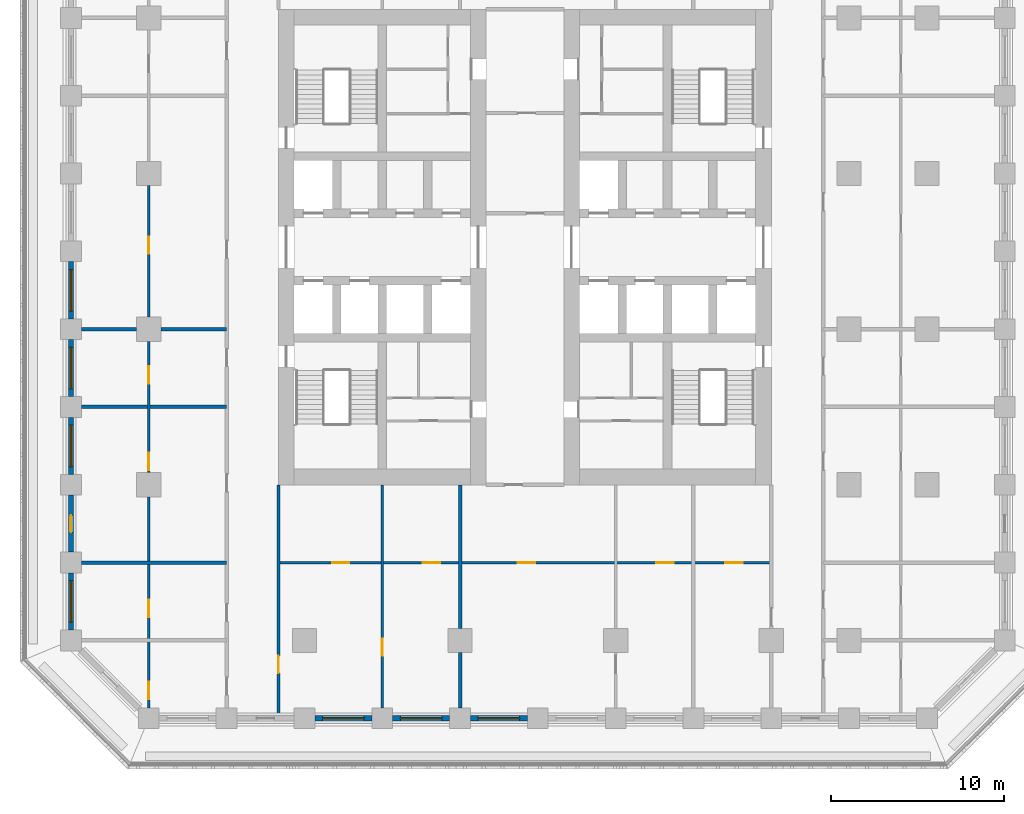
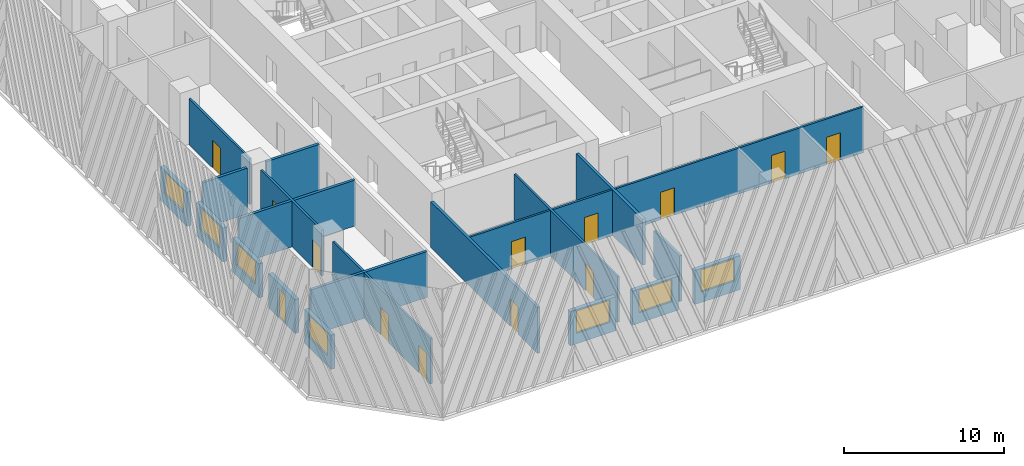
# One storey, part 3 of 20: 20 walls, 13 doors, 7 windows, 20 openings.
"""IFC4 building model written with IfcOpenShell, lengths in metres."""

from ifc_helpers import new_model, si_unit, direction, frame, frame_2d, origin, place, context, subcontext, project, spatial, rectangle, extrude, material, layer, layer_set, type_object, element, fill, save


model = new_model("IFC4")

# Units and contexts
model_context = context("Model", 3, precision=1e-05, world=origin(), true_north=direction((0.0, 1.0)))
body_context = subcontext(model_context, "Body", "Model", "MODEL_VIEW")
ifc_project = project(units=[si_unit("LENGTHUNIT", "METRE"), si_unit("AREAUNIT", "SQUARE_METRE"), si_unit("VOLUMEUNIT", "CUBIC_METRE"), si_unit("PLANEANGLEUNIT", "RADIAN"), si_unit("MASSUNIT", "GRAM", prefix="KILO")], contexts=[model_context])

# Site, building, storey
site_placement = place(None, origin())
site = spatial("IfcSite", under=ifc_project, at=site_placement, CompositionType="ELEMENT")
building_placement = place(site_placement, origin())
building = spatial("IfcBuilding", under=site, at=building_placement, Name="Corbel Stack Research Tower", CompositionType="ELEMENT")
storey_placement = place(building_placement, frame((0.0, 0.0, 106.60009765625)))
storey = spatial("IfcBuildingStorey", under=building, at=storey_placement, Name="L24", CompositionType="ELEMENT", Elevation=106.60009765625)

# Wall, opening, door
ifc_material_1 = material(Name="Fire-rated gypsum board partition on steel studs", Category="steel")
ifc_layer_1 = layer(ifc_material_1, 0.14990234375)
ifc_layer_set_1 = layer_set([ifc_layer_1], Name="Fire-rated gypsum board partition on steel studs")
wall_type_1 = type_object("IfcWallType", Name="Fire-rated partition 150 EI 60", PredefinedType="PARTITIONING", material=ifc_layer_set_1)
wall_1_placement = place(storey_placement, frame((-4.5, -9.0, 0.0), z_axis=(0.0, 0.0, 1.0), x_axis=(0.0, -1.0, 0.0)))
wall_1 = element("IfcWall", 1, at=wall_1_placement, inside=storey, type_object=wall_type_1, Name="Partition L24-010", PredefinedType="PARTITIONING", context=body_context, shape_type="SweptSolid", body=[
    extrude(rectangle(XDim=12.89990234375, YDim=0.14990234375, at=frame_2d((6.449951171875, 0.0))), origin(), (0.0, 0.0, 1.0), 3.5),
])
opening_1_placement = place(wall_1_placement, frame((8.89990234375, 0.0, 0.0)))
opening_1 = element("IfcOpeningElement", 2, at=opening_1_placement, cuts=wall_1, Name="Opening B3V2-025", PredefinedType="OPENING", context=body_context, shape_type="SweptSolid", body=[
    extrude(rectangle(XDim=1.0, YDim=2.10009765625, at=frame_2d((0.5, 1.050048828125))), frame((0.0, 0.0849609375, 0.0), z_axis=(0.0, -1.0, 0.0), x_axis=(1.0, 0.0, 0.0)), (0.0, 0.0, 1.0), 0.169921875),
])
ifc_material_2 = material(Name="Painted steel fire door", Category="steel")
door_type_1 = type_object("IfcDoorType", Name="Fire door FD30S 1000 x 2100", OperationType="NOTDEFINED", PredefinedType="DOOR", material=ifc_material_2)
door_1_placement = place(opening_1_placement, origin())
door_1 = element("IfcDoor", 3, at=door_1_placement, inside=storey, type_object=door_type_1, Name="Door B3V2-025", OperationType="SINGLE_SWING_RIGHT", OverallHeight=2.10009765625, OverallWidth=1.0, PredefinedType="DOOR", context=body_context, shape_type="SweptSolid", body=[
    extrude(rectangle(XDim=1.0, YDim=2.10009765625, at=frame_2d((0.5, 1.050048828125))), frame((0.0, 0.02490234375, 0.0), z_axis=(0.0, -1.0, 0.0), x_axis=(1.0, 0.0, 0.0)), (0.0, 0.0, 1.0), 0.050048828125),
])
fill(opening_1, door_1)

ifc_material_3 = material(Name="Fire-rated gypsum board partition on steel studs", Category="steel")
ifc_layer_2 = layer(ifc_material_3, 0.199951171875)
ifc_layer_set_2 = layer_set([ifc_layer_2], Name="Fire-rated gypsum board partition on steel studs")
wall_type_2 = type_object("IfcWallType", Name="Fire-rated partition 200 EI 60", PredefinedType="PARTITIONING", material=ifc_layer_set_2)
wall_2_placement = place(storey_placement, frame((-10.5, -9.0, 0.0), z_axis=(0.0, 0.0, 1.0), x_axis=(0.0, -1.0, 0.0)))
wall_2 = element("IfcWall", 4, at=wall_2_placement, inside=storey, type_object=wall_type_2, Name="Partition L24-008", PredefinedType="PARTITIONING", context=body_context, shape_type="SweptSolid", body=[
    extrude(rectangle(XDim=13.35009765625, YDim=0.199951171875, at=frame_2d((6.675048828125, 0.0))), origin(), (0.0, 0.0, 1.0), 3.5),
])
opening_2_placement = place(wall_2_placement, frame((9.89990234375, 0.0, 0.0)))
opening_2 = element("IfcOpeningElement", 5, at=opening_2_placement, cuts=wall_2, Name="Opening B3V2-022", PredefinedType="OPENING", context=body_context, shape_type="SweptSolid", body=[
    extrude(rectangle(XDim=1.0, YDim=2.10009765625, at=frame_2d((0.5, 1.050048828125))), frame((0.0, 0.10986328125, 0.0), z_axis=(0.0, -1.0, 0.0), x_axis=(1.0, 0.0, 0.0)), (0.0, 0.0, 1.0), 0.219970703125),
])
door_2_placement = place(opening_2_placement, origin())
door_2 = element("IfcDoor", 6, at=door_2_placement, inside=storey, type_object=door_type_1, Name="Door B3V2-022", OperationType="SINGLE_SWING_RIGHT", OverallHeight=2.10009765625, OverallWidth=1.0, PredefinedType="DOOR", context=body_context, shape_type="SweptSolid", body=[
    extrude(rectangle(XDim=1.0, YDim=2.10009765625, at=frame_2d((0.5, 1.050048828125))), frame((0.0, 0.02490234375, 0.0), z_axis=(0.0, -1.0, 0.0), x_axis=(1.0, 0.0, 0.0)), (0.0, 0.0, 1.0), 0.050048828125),
])
fill(opening_2, door_2)

# Walls
wall_3_placement = place(storey_placement, frame((0.0, -21.89990234375, 0.0), z_axis=(0.0, 0.0, 1.0), x_axis=(0.0, 1.0, 0.0)))
element("IfcWall", 7, at=wall_3_placement, inside=storey, type_object=wall_type_2, Name="Partition L24-015", PredefinedType="PARTITIONING", context=body_context, shape_type="SweptSolid", body=[
    extrude(rectangle(XDim=3.199951171875, YDim=0.199951171875, at=frame_2d((1.60009765625, 0.0))), origin(), (0.0, 0.0, 1.0), 3.5),
])
wall_4_placement = place(storey_placement, frame((0.0, -17.300048828125, 0.0), z_axis=(0.0, 0.0, 1.0), x_axis=(0.0, 1.0, 0.0)))
element("IfcWall", 8, at=wall_4_placement, inside=storey, type_object=wall_type_2, Name="Partition L24-016", PredefinedType="PARTITIONING", context=body_context, shape_type="SweptSolid", body=[
    extrude(rectangle(XDim=8.300048828125, YDim=0.199951171875, at=frame_2d((4.14990234375, 0.0))), origin(), (0.0, 0.0, 1.0), 3.5),
])
for number, where, z_axis, x_axis, name in (
    (9, (-21.89990234375, -13.5, 0.0), (0.0, 0.0, 1.0), (1.0, 0.0, 0.0), "Partition L24-035"),
    (10, (-21.89990234375, -4.5, 0.0), (0.0, 0.0, 1.0), (1.0, 0.0, 0.0), "Partition L24-038"),
):
    element("IfcWall", number, at=place(storey_placement, frame(where, z_axis=z_axis, x_axis=x_axis)), inside=storey, type_object=wall_type_2, Name=name, PredefinedType="PARTITIONING", context=body_context, shape_type="SweptSolid", body=[
        extrude(rectangle(XDim=8.39990234375, YDim=0.199951171875, at=frame_2d((4.199951171875, 0.0))), origin(), (0.0, 0.0, 1.0), 3.5),
    ])
wall_5_placement = place(storey_placement, frame((-21.89990234375, 0.0, 0.0), z_axis=(0.0, 0.0, 1.0), x_axis=(1.0, 0.0, 0.0)))
element("IfcWall", 11, at=wall_5_placement, inside=storey, type_object=wall_type_2, Name="Partition L24-040", PredefinedType="PARTITIONING", context=body_context, shape_type="SweptSolid", body=[
    extrude(rectangle(XDim=3.199951171875, YDim=0.199951171875, at=frame_2d((1.60009765625, 0.0))), origin(), (0.0, 0.0, 1.0), 3.5),
])
wall_6_placement = place(storey_placement, frame((-17.300048828125, 0.0, 0.0), z_axis=(0.0, 0.0, 1.0), x_axis=(1.0, 0.0, 0.0)))
element("IfcWall", 12, at=wall_6_placement, inside=storey, type_object=wall_type_2, Name="Partition L24-041", PredefinedType="PARTITIONING", context=body_context, shape_type="SweptSolid", body=[
    extrude(rectangle(XDim=3.800048828125, YDim=0.199951171875, at=frame_2d((1.89990234375, 0.0))), origin(), (0.0, 0.0, 1.0), 3.5),
])

# Wall, openings, doors
ifc_material_4 = material(Name="Gypsum board partition on steel studs", Category="steel")
ifc_layer_3 = layer(ifc_material_4, 0.14990234375)
ifc_layer_set_3 = layer_set([ifc_layer_3], Name="Gypsum board partition on steel studs")
wall_type_3 = type_object("IfcWallType", Name="Partition 150", PredefinedType="PARTITIONING", material=ifc_layer_set_3)
wall_7_placement = place(storey_placement, frame((-18.0, -21.89990234375, 0.0), z_axis=(0.0, 0.0, 1.0), x_axis=(0.0, 1.0, 0.0)))
wall_7 = element("IfcWall", 13, at=wall_7_placement, inside=storey, type_object=wall_type_3, Name="Partition L24-001", PredefinedType="PARTITIONING", context=body_context, shape_type="SweptSolid", body=[
    extrude(rectangle(XDim=12.199951171875, YDim=0.14990234375, at=frame_2d((6.10009765625, 0.0))), origin(), (0.0, 0.0, 1.0), 3.5),
])
opening_3_placement = place(wall_7_placement, frame((0.5, 0.0, 0.0)))
opening_3 = element("IfcOpeningElement", 14, at=opening_3_placement, cuts=wall_7, Name="Opening B3V2-001", PredefinedType="OPENING", context=body_context, shape_type="SweptSolid", body=[
    extrude(rectangle(XDim=1.0, YDim=2.10009765625, at=frame_2d((0.5, 1.050048828125))), frame((0.0, 0.0849609375, 0.0), z_axis=(0.0, -1.0, 0.0), x_axis=(1.0, 0.0, 0.0)), (0.0, 0.0, 1.0), 0.169921875),
])
opening_4_placement = place(wall_7_placement, frame((5.25, 0.0, 0.0)))
opening_4 = element("IfcOpeningElement", 15, at=opening_4_placement, cuts=wall_7, Name="Opening B3V2-002", PredefinedType="OPENING", context=body_context, shape_type="SweptSolid", body=[
    extrude(rectangle(XDim=1.0, YDim=2.10009765625, at=frame_2d((0.5, 1.050048828125))), frame((0.0, 0.0849609375, 0.0), z_axis=(0.0, -1.0, 0.0), x_axis=(1.0, 0.0, 0.0)), (0.0, 0.0, 1.0), 0.169921875),
])
ifc_material_5 = material(Name="Painted timber door", Category="wood")
door_type_2 = type_object("IfcDoorType", Name="Single door 1000 x 2100", OperationType="NOTDEFINED", PredefinedType="DOOR", material=ifc_material_5)
door_3_placement = place(opening_3_placement, origin())
door_3 = element("IfcDoor", 16, at=door_3_placement, inside=storey, type_object=door_type_2, Name="Door B3V2-001", OperationType="SINGLE_SWING_LEFT", OverallHeight=2.10009765625, OverallWidth=1.0, PredefinedType="DOOR", context=body_context, shape_type="SweptSolid", body=[
    extrude(rectangle(XDim=1.0, YDim=2.10009765625, at=frame_2d((0.5, 1.050048828125))), frame((0.0, 0.02490234375, 0.0), z_axis=(0.0, -1.0, 0.0), x_axis=(1.0, 0.0, 0.0)), (0.0, 0.0, 1.0), 0.050048828125),
])
fill(opening_3, door_3)
door_4_placement = place(opening_4_placement, origin())
door_4 = element("IfcDoor", 17, at=door_4_placement, inside=storey, type_object=door_type_2, Name="Door B3V2-002", OperationType="SINGLE_SWING_LEFT", OverallHeight=2.10009765625, OverallWidth=1.0, PredefinedType="DOOR", context=body_context, shape_type="SweptSolid", body=[
    extrude(rectangle(XDim=1.0, YDim=2.10009765625, at=frame_2d((0.5, 1.050048828125))), frame((0.0, 0.02490234375, 0.0), z_axis=(0.0, -1.0, 0.0), x_axis=(1.0, 0.0, 0.0)), (0.0, 0.0, 1.0), 0.050048828125),
])
fill(opening_4, door_4)

wall_8_placement = place(storey_placement, frame((-18.0, -8.300048828125, 0.0), z_axis=(0.0, 0.0, 1.0), x_axis=(0.0, 1.0, 0.0)))
wall_8 = element("IfcWall", 18, at=wall_8_placement, inside=storey, type_object=wall_type_3, Name="Partition L24-002", PredefinedType="PARTITIONING", context=body_context, shape_type="SweptSolid", body=[
    extrude(rectangle(XDim=7.60009765625, YDim=0.14990234375, at=frame_2d((3.800048828125, 0.0))), origin(), (0.0, 0.0, 1.0), 3.5),
])
opening_5_placement = place(wall_8_placement, frame((0.14990234375, 0.0, 0.0)))
opening_5 = element("IfcOpeningElement", 19, at=opening_5_placement, cuts=wall_8, Name="Opening B3V2-003", PredefinedType="OPENING", context=body_context, shape_type="SweptSolid", body=[
    extrude(rectangle(XDim=1.0, YDim=2.10009765625, at=frame_2d((0.5, 1.050048828125))), frame((0.0, 0.0849609375, 0.0), z_axis=(0.0, -1.0, 0.0), x_axis=(1.0, 0.0, 0.0)), (0.0, 0.0, 1.0), 0.169921875),
])
opening_6_placement = place(wall_8_placement, frame((5.14990234375, 0.0, 0.0)))
opening_6 = element("IfcOpeningElement", 20, at=opening_6_placement, cuts=wall_8, Name="Opening B3V2-004", PredefinedType="OPENING", context=body_context, shape_type="SweptSolid", body=[
    extrude(rectangle(XDim=1.0, YDim=2.10009765625, at=frame_2d((0.5, 1.050048828125))), frame((0.0, 0.0849609375, 0.0), z_axis=(0.0, -1.0, 0.0), x_axis=(1.0, 0.0, 0.0)), (0.0, 0.0, 1.0), 0.169921875),
])
door_5_placement = place(opening_5_placement, origin())
door_5 = element("IfcDoor", 21, at=door_5_placement, inside=storey, type_object=door_type_2, Name="Door B3V2-003", OperationType="SINGLE_SWING_LEFT", OverallHeight=2.10009765625, OverallWidth=1.0, PredefinedType="DOOR", context=body_context, shape_type="SweptSolid", body=[
    extrude(rectangle(XDim=1.0, YDim=2.10009765625, at=frame_2d((0.5, 1.050048828125))), frame((0.0, 0.02490234375, 0.0), z_axis=(0.0, -1.0, 0.0), x_axis=(1.0, 0.0, 0.0)), (0.0, 0.0, 1.0), 0.050048828125),
])
fill(opening_5, door_5)
door_6_placement = place(opening_6_placement, origin())
door_6 = element("IfcDoor", 22, at=door_6_placement, inside=storey, type_object=door_type_2, Name="Door B3V2-004", OperationType="SINGLE_SWING_RIGHT", OverallHeight=2.10009765625, OverallWidth=1.0, PredefinedType="DOOR", context=body_context, shape_type="SweptSolid", body=[
    extrude(rectangle(XDim=1.0, YDim=2.10009765625, at=frame_2d((0.5, 1.050048828125))), frame((0.0, 0.02490234375, 0.0), z_axis=(0.0, -1.0, 0.0), x_axis=(1.0, 0.0, 0.0)), (0.0, 0.0, 1.0), 0.050048828125),
])
fill(opening_6, door_6)

# Wall, opening, door
wall_9_placement = place(storey_placement, frame((-18.0, 0.699951171875, 0.0), z_axis=(0.0, 0.0, 1.0), x_axis=(0.0, 1.0, 0.0)))
wall_9 = element("IfcWall", 23, at=wall_9_placement, inside=storey, type_object=wall_type_3, Name="Partition L24-003", PredefinedType="PARTITIONING", context=body_context, shape_type="SweptSolid", body=[
    extrude(rectangle(XDim=7.60009765625, YDim=0.14990234375, at=frame_2d((3.800048828125, 0.0))), origin(), (0.0, 0.0, 1.0), 3.5),
])
opening_7_placement = place(wall_9_placement, frame((3.64990234375, 0.0, 0.0)))
opening_7 = element("IfcOpeningElement", 24, at=opening_7_placement, cuts=wall_9, Name="Opening B3V2-005", PredefinedType="OPENING", context=body_context, shape_type="SweptSolid", body=[
    extrude(rectangle(XDim=1.0, YDim=2.10009765625, at=frame_2d((0.5, 1.050048828125))), frame((0.0, 0.0849609375, 0.0), z_axis=(0.0, -1.0, 0.0), x_axis=(1.0, 0.0, 0.0)), (0.0, 0.0, 1.0), 0.169921875),
])
door_7_placement = place(opening_7_placement, origin())
door_7 = element("IfcDoor", 25, at=door_7_placement, inside=storey, type_object=door_type_2, Name="Door B3V2-005", OperationType="SINGLE_SWING_RIGHT", OverallHeight=2.10009765625, OverallWidth=1.0, PredefinedType="DOOR", context=body_context, shape_type="SweptSolid", body=[
    extrude(rectangle(XDim=1.0, YDim=2.10009765625, at=frame_2d((0.5, 1.050048828125))), frame((0.0, 0.02490234375, 0.0), z_axis=(0.0, -1.0, 0.0), x_axis=(1.0, 0.0, 0.0)), (0.0, 0.0, 1.0), 0.050048828125),
])
fill(opening_7, door_7)

# Wall, openings, doors
wall_10_placement = place(storey_placement, frame((-10.5, -13.5, 0.0), z_axis=(0.0, 0.0, 1.0), x_axis=(1.0, 0.0, 0.0)))
wall_10 = element("IfcWall", 26, at=wall_10_placement, inside=storey, type_object=wall_type_3, Name="Partition L24-034", PredefinedType="PARTITIONING", context=body_context, shape_type="SweptSolid", body=[
    extrude(rectangle(XDim=28.5, YDim=0.14990234375, at=frame_2d((14.25, 0.0))), origin(), (0.0, 0.0, 1.0), 3.5),
])
opening_8_placement = place(wall_10_placement, frame((3.10009765625, 0.0, 0.0)))
opening_8 = element("IfcOpeningElement", 27, at=opening_8_placement, cuts=wall_10, Name="Opening B3V2-012", PredefinedType="OPENING", context=body_context, shape_type="SweptSolid", body=[
    extrude(rectangle(XDim=1.0, YDim=2.10009765625, at=frame_2d((0.5, 1.050048828125))), frame((0.0, 0.0849609375, 0.0), z_axis=(0.0, -1.0, 0.0), x_axis=(1.0, 0.0, 0.0)), (0.0, 0.0, 1.0), 0.169921875),
])
opening_9_placement = place(wall_10_placement, frame((8.35009765625, 0.0, 0.0)))
opening_9 = element("IfcOpeningElement", 28, at=opening_9_placement, cuts=wall_10, Name="Opening B3V2-014", PredefinedType="OPENING", context=body_context, shape_type="SweptSolid", body=[
    extrude(rectangle(XDim=1.0, YDim=2.10009765625, at=frame_2d((0.5, 1.050048828125))), frame((0.0, 0.0849609375, 0.0), z_axis=(0.0, -1.0, 0.0), x_axis=(1.0, 0.0, 0.0)), (0.0, 0.0, 1.0), 0.169921875),
])
opening_10_placement = place(wall_10_placement, frame((13.85009765625, 0.0, 0.0)))
opening_10 = element("IfcOpeningElement", 29, at=opening_10_placement, cuts=wall_10, Name="Opening B3V2-015", PredefinedType="OPENING", context=body_context, shape_type="SweptSolid", body=[
    extrude(rectangle(XDim=1.0, YDim=2.10009765625, at=frame_2d((0.5, 1.050048828125))), frame((0.0, 0.0849609375, 0.0), z_axis=(0.0, -1.0, 0.0), x_axis=(1.0, 0.0, 0.0)), (0.0, 0.0, 1.0), 0.169921875),
])
opening_11_placement = place(wall_10_placement, frame((21.85009765625, 0.0, 0.0)))
opening_11 = element("IfcOpeningElement", 30, at=opening_11_placement, cuts=wall_10, Name="Opening B3V2-017", PredefinedType="OPENING", context=body_context, shape_type="SweptSolid", body=[
    extrude(rectangle(XDim=1.0, YDim=2.10009765625, at=frame_2d((0.5, 1.050048828125))), frame((0.0, 0.0849609375, 0.0), z_axis=(0.0, -1.0, 0.0), x_axis=(1.0, 0.0, 0.0)), (0.0, 0.0, 1.0), 0.169921875),
])
opening_12_placement = place(wall_10_placement, frame((25.85009765625, 0.0, 0.0)))
opening_12 = element("IfcOpeningElement", 31, at=opening_12_placement, cuts=wall_10, Name="Opening B3V2-018", PredefinedType="OPENING", context=body_context, shape_type="SweptSolid", body=[
    extrude(rectangle(XDim=1.0, YDim=2.10009765625, at=frame_2d((0.5, 1.050048828125))), frame((0.0, 0.0849609375, 0.0), z_axis=(0.0, -1.0, 0.0), x_axis=(1.0, 0.0, 0.0)), (0.0, 0.0, 1.0), 0.169921875),
])
door_8_placement = place(opening_8_placement, origin())
door_8 = element("IfcDoor", 32, at=door_8_placement, inside=storey, type_object=door_type_2, Name="Door B3V2-012", OperationType="SINGLE_SWING_LEFT", OverallHeight=2.10009765625, OverallWidth=1.0, PredefinedType="DOOR", context=body_context, shape_type="SweptSolid", body=[
    extrude(rectangle(XDim=1.0, YDim=2.10009765625, at=frame_2d((0.5, 1.050048828125))), frame((0.0, 0.02490234375, 0.0), z_axis=(0.0, -1.0, 0.0), x_axis=(1.0, 0.0, 0.0)), (0.0, 0.0, 1.0), 0.050048828125),
])
fill(opening_8, door_8)
door_9_placement = place(opening_9_placement, origin())
door_9 = element("IfcDoor", 33, at=door_9_placement, inside=storey, type_object=door_type_2, Name="Door B3V2-014", OperationType="SINGLE_SWING_LEFT", OverallHeight=2.10009765625, OverallWidth=1.0, PredefinedType="DOOR", context=body_context, shape_type="SweptSolid", body=[
    extrude(rectangle(XDim=1.0, YDim=2.10009765625, at=frame_2d((0.5, 1.050048828125))), frame((0.0, 0.02490234375, 0.0), z_axis=(0.0, -1.0, 0.0), x_axis=(1.0, 0.0, 0.0)), (0.0, 0.0, 1.0), 0.050048828125),
])
fill(opening_9, door_9)
door_10_placement = place(opening_10_placement, origin())
door_10 = element("IfcDoor", 34, at=door_10_placement, inside=storey, type_object=door_type_2, Name="Door B3V2-015", OperationType="SINGLE_SWING_RIGHT", OverallHeight=2.10009765625, OverallWidth=1.0, PredefinedType="DOOR", context=body_context, shape_type="SweptSolid", body=[
    extrude(rectangle(XDim=1.0, YDim=2.10009765625, at=frame_2d((0.5, 1.050048828125))), frame((0.0, 0.02490234375, 0.0), z_axis=(0.0, -1.0, 0.0), x_axis=(1.0, 0.0, 0.0)), (0.0, 0.0, 1.0), 0.050048828125),
])
fill(opening_10, door_10)
door_11_placement = place(opening_11_placement, origin())
door_11 = element("IfcDoor", 35, at=door_11_placement, inside=storey, type_object=door_type_2, Name="Door B3V2-017", OperationType="SINGLE_SWING_RIGHT", OverallHeight=2.10009765625, OverallWidth=1.0, PredefinedType="DOOR", context=body_context, shape_type="SweptSolid", body=[
    extrude(rectangle(XDim=1.0, YDim=2.10009765625, at=frame_2d((0.5, 1.050048828125))), frame((0.0, 0.02490234375, 0.0), z_axis=(0.0, -1.0, 0.0), x_axis=(1.0, 0.0, 0.0)), (0.0, 0.0, 1.0), 0.050048828125),
])
fill(opening_11, door_11)
door_12_placement = place(opening_12_placement, origin())
door_12 = element("IfcDoor", 36, at=door_12_placement, inside=storey, type_object=door_type_2, Name="Door B3V2-018", OperationType="SINGLE_SWING_RIGHT", OverallHeight=2.10009765625, OverallWidth=1.0, PredefinedType="DOOR", context=body_context, shape_type="SweptSolid", body=[
    extrude(rectangle(XDim=1.0, YDim=2.10009765625, at=frame_2d((0.5, 1.050048828125))), frame((0.0, 0.02490234375, 0.0), z_axis=(0.0, -1.0, 0.0), x_axis=(1.0, 0.0, 0.0)), (0.0, 0.0, 1.0), 0.050048828125),
])
fill(opening_12, door_12)

# Wall, opening, window
ifc_material_6 = material(Name="Concrete C45/55", Category="concrete")
ifc_layer_4 = layer(ifc_material_6, 0.300048828125)
ifc_layer_set_4 = layer_set([ifc_layer_4], Name="Concrete C45/55")
wall_type_4 = type_object("IfcWallType", Name="Terracotta-faced concrete wall 300", PredefinedType="SOLIDWALL", material=ifc_layer_set_4)
wall_11_placement = place(storey_placement, frame((-5.10009765625, -22.5, 0.0), z_axis=(0.0, 0.0, 1.0), x_axis=(-1.0, 0.0, 0.0)))
wall_11 = element("IfcWall", 37, at=wall_11_placement, inside=storey, type_object=wall_type_4, Name="Facade wall L24 S03", PredefinedType="SOLIDWALL", context=body_context, shape_type="SweptSolid", body=[
    extrude(rectangle(XDim=3.2998046875, YDim=0.300048828125, at=frame_2d((1.64990234375, 0.0))), origin(), (0.0, 0.0, 1.0), 2.599853515625),
])
opening_13_placement = place(wall_11_placement, frame((0.449951171875, 0.0, 0.800048828125)))
opening_13 = element("IfcOpeningElement", 38, at=opening_13_placement, cuts=wall_11, Name="Opening W1", PredefinedType="OPENING", context=body_context, shape_type="SweptSolid", body=[
    extrude(rectangle(XDim=2.39990234375, YDim=1.699951171875, at=frame_2d((1.199951171875, 0.85009765625))), frame((0.0, 0.159912109375, 0.0), z_axis=(0.0, -1.0, 0.0), x_axis=(1.0, 0.0, 0.0)), (0.0, 0.0, 1.0), 0.320068359375),
])
ifc_material_7 = material(Name="Aluminium frame, clear double glazing", Category="aluminium")
window_type = type_object("IfcWindowType", Name="Window W1 2400 x 1700", PartitioningType="SINGLE_PANEL", PredefinedType="WINDOW", material=ifc_material_7)
window_1_placement = place(opening_13_placement, origin())
window_1 = element("IfcWindow", 39, at=window_1_placement, inside=storey, type_object=window_type, Name="Window W1 L24 S03", OverallHeight=1.699951171875, OverallWidth=2.39990234375, PartitioningType="SINGLE_PANEL", PredefinedType="WINDOW", context=body_context, shape_type="SweptSolid", body=[
    extrude(rectangle(XDim=2.39990234375, YDim=1.699951171875, at=frame_2d((1.199951171875, 0.85009765625))), frame((0.0, 0.030029296875, 0.0), z_axis=(0.0, -1.0, 0.0), x_axis=(1.0, 0.0, 0.0)), (0.0, 0.0, 1.0), 0.06005859375),
])
fill(opening_13, window_1)

wall_12_placement = place(storey_placement, frame((-0.60009765625, -22.5, 0.0), z_axis=(0.0, 0.0, 1.0), x_axis=(-1.0, 0.0, 0.0)))
wall_12 = element("IfcWall", 40, at=wall_12_placement, inside=storey, type_object=wall_type_4, Name="Facade wall L24 S04", PredefinedType="SOLIDWALL", context=body_context, shape_type="SweptSolid", body=[
    extrude(rectangle(XDim=3.2998046875, YDim=0.300048828125, at=frame_2d((1.64990234375, 0.0))), origin(), (0.0, 0.0, 1.0), 2.599853515625),
])
opening_14_placement = place(wall_12_placement, frame((0.449951171875, 0.0, 0.800048828125)))
opening_14 = element("IfcOpeningElement", 41, at=opening_14_placement, cuts=wall_12, Name="Opening W1", PredefinedType="OPENING", context=body_context, shape_type="SweptSolid", body=[
    extrude(rectangle(XDim=2.39990234375, YDim=1.699951171875, at=frame_2d((1.199951171875, 0.85009765625))), frame((0.0, 0.159912109375, 0.0), z_axis=(0.0, -1.0, 0.0), x_axis=(1.0, 0.0, 0.0)), (0.0, 0.0, 1.0), 0.320068359375),
])
window_2_placement = place(opening_14_placement, origin())
window_2 = element("IfcWindow", 42, at=window_2_placement, inside=storey, type_object=window_type, Name="Window W1 L24 S04", OverallHeight=1.699951171875, OverallWidth=2.39990234375, PartitioningType="SINGLE_PANEL", PredefinedType="WINDOW", context=body_context, shape_type="SweptSolid", body=[
    extrude(rectangle(XDim=2.39990234375, YDim=1.699951171875, at=frame_2d((1.199951171875, 0.85009765625))), frame((0.0, 0.030029296875, 0.0), z_axis=(0.0, -1.0, 0.0), x_axis=(1.0, 0.0, 0.0)), (0.0, 0.0, 1.0), 0.06005859375),
])
fill(opening_14, window_2)

wall_13_placement = place(storey_placement, frame((3.89990234375, -22.5, 0.0), z_axis=(0.0, 0.0, 1.0), x_axis=(-1.0, 0.0, 0.0)))
wall_13 = element("IfcWall", 43, at=wall_13_placement, inside=storey, type_object=wall_type_4, Name="Facade wall L24 S05", PredefinedType="SOLIDWALL", context=body_context, shape_type="SweptSolid", body=[
    extrude(rectangle(XDim=3.2998046875, YDim=0.300048828125, at=frame_2d((1.64990234375, 0.0))), origin(), (0.0, 0.0, 1.0), 2.599853515625),
])
opening_15_placement = place(wall_13_placement, frame((0.449951171875, 0.0, 0.800048828125)))
opening_15 = element("IfcOpeningElement", 44, at=opening_15_placement, cuts=wall_13, Name="Opening W1", PredefinedType="OPENING", context=body_context, shape_type="SweptSolid", body=[
    extrude(rectangle(XDim=2.39990234375, YDim=1.699951171875, at=frame_2d((1.199951171875, 0.85009765625))), frame((0.0, 0.159912109375, 0.0), z_axis=(0.0, -1.0, 0.0), x_axis=(1.0, 0.0, 0.0)), (0.0, 0.0, 1.0), 0.320068359375),
])
window_3_placement = place(opening_15_placement, origin())
window_3 = element("IfcWindow", 45, at=window_3_placement, inside=storey, type_object=window_type, Name="Window W1 L24 S05", OverallHeight=1.699951171875, OverallWidth=2.39990234375, PartitioningType="SINGLE_PANEL", PredefinedType="WINDOW", context=body_context, shape_type="SweptSolid", body=[
    extrude(rectangle(XDim=2.39990234375, YDim=1.699951171875, at=frame_2d((1.199951171875, 0.85009765625))), frame((0.0, 0.030029296875, 0.0), z_axis=(0.0, -1.0, 0.0), x_axis=(1.0, 0.0, 0.0)), (0.0, 0.0, 1.0), 0.06005859375),
])
fill(opening_15, window_3)

wall_14_placement = place(storey_placement, frame((-22.5, 0.60009765625, 0.0), z_axis=(0.0, 0.0, 1.0), x_axis=(0.0, 1.0, 0.0)))
wall_14 = element("IfcWall", 46, at=wall_14_placement, inside=storey, type_object=wall_type_4, Name="Facade wall L24 W06", PredefinedType="SOLIDWALL", context=body_context, shape_type="SweptSolid", body=[
    extrude(rectangle(XDim=3.2998046875, YDim=0.300048828125, at=frame_2d((1.64990234375, 0.0))), origin(), (0.0, 0.0, 1.0), 2.599853515625),
])
opening_16_placement = place(wall_14_placement, frame((0.449951171875, 0.0, 0.800048828125)))
opening_16 = element("IfcOpeningElement", 47, at=opening_16_placement, cuts=wall_14, Name="Opening W1", PredefinedType="OPENING", context=body_context, shape_type="SweptSolid", body=[
    extrude(rectangle(XDim=2.39990234375, YDim=1.699951171875, at=frame_2d((1.199951171875, 0.85009765625))), frame((0.0, 0.159912109375, 0.0), z_axis=(0.0, -1.0, 0.0), x_axis=(1.0, 0.0, 0.0)), (0.0, 0.0, 1.0), 0.320068359375),
])
window_4_placement = place(opening_16_placement, origin())
window_4 = element("IfcWindow", 48, at=window_4_placement, inside=storey, type_object=window_type, Name="Window W1 L24 W06", OverallHeight=1.699951171875, OverallWidth=2.39990234375, PartitioningType="SINGLE_PANEL", PredefinedType="WINDOW", context=body_context, shape_type="SweptSolid", body=[
    extrude(rectangle(XDim=2.39990234375, YDim=1.699951171875, at=frame_2d((1.199951171875, 0.85009765625))), frame((0.0, 0.030029296875, 0.0), z_axis=(0.0, -1.0, 0.0), x_axis=(1.0, 0.0, 0.0)), (0.0, 0.0, 1.0), 0.06005859375),
])
fill(opening_16, window_4)

wall_15_placement = place(storey_placement, frame((-22.5, -3.89990234375, 0.0), z_axis=(0.0, 0.0, 1.0), x_axis=(0.0, 1.0, 0.0)))
wall_15 = element("IfcWall", 49, at=wall_15_placement, inside=storey, type_object=wall_type_4, Name="Facade wall L24 W07", PredefinedType="SOLIDWALL", context=body_context, shape_type="SweptSolid", body=[
    extrude(rectangle(XDim=3.2998046875, YDim=0.300048828125, at=frame_2d((1.64990234375, 0.0))), origin(), (0.0, 0.0, 1.0), 2.599853515625),
])
opening_17_placement = place(wall_15_placement, frame((0.449951171875, 0.0, 0.800048828125)))
opening_17 = element("IfcOpeningElement", 50, at=opening_17_placement, cuts=wall_15, Name="Opening W1", PredefinedType="OPENING", context=body_context, shape_type="SweptSolid", body=[
    extrude(rectangle(XDim=2.39990234375, YDim=1.699951171875, at=frame_2d((1.199951171875, 0.85009765625))), frame((0.0, 0.159912109375, 0.0), z_axis=(0.0, -1.0, 0.0), x_axis=(1.0, 0.0, 0.0)), (0.0, 0.0, 1.0), 0.320068359375),
])
window_5_placement = place(opening_17_placement, origin())
window_5 = element("IfcWindow", 51, at=window_5_placement, inside=storey, type_object=window_type, Name="Window W1 L24 W07", OverallHeight=1.699951171875, OverallWidth=2.39990234375, PartitioningType="SINGLE_PANEL", PredefinedType="WINDOW", context=body_context, shape_type="SweptSolid", body=[
    extrude(rectangle(XDim=2.39990234375, YDim=1.699951171875, at=frame_2d((1.199951171875, 0.85009765625))), frame((0.0, 0.030029296875, 0.0), z_axis=(0.0, -1.0, 0.0), x_axis=(1.0, 0.0, 0.0)), (0.0, 0.0, 1.0), 0.06005859375),
])
fill(opening_17, window_5)

wall_16_placement = place(storey_placement, frame((-22.5, -8.39990234375, 0.0), z_axis=(0.0, 0.0, 1.0), x_axis=(0.0, 1.0, 0.0)))
wall_16 = element("IfcWall", 52, at=wall_16_placement, inside=storey, type_object=wall_type_4, Name="Facade wall L24 W08", PredefinedType="SOLIDWALL", context=body_context, shape_type="SweptSolid", body=[
    extrude(rectangle(XDim=3.2998046875, YDim=0.300048828125, at=frame_2d((1.64990234375, 0.0))), origin(), (0.0, 0.0, 1.0), 2.599853515625),
])
opening_18_placement = place(wall_16_placement, frame((0.449951171875, 0.0, 0.800048828125)))
opening_18 = element("IfcOpeningElement", 53, at=opening_18_placement, cuts=wall_16, Name="Opening W1", PredefinedType="OPENING", context=body_context, shape_type="SweptSolid", body=[
    extrude(rectangle(XDim=2.39990234375, YDim=1.699951171875, at=frame_2d((1.199951171875, 0.85009765625))), frame((0.0, 0.159912109375, 0.0), z_axis=(0.0, -1.0, 0.0), x_axis=(1.0, 0.0, 0.0)), (0.0, 0.0, 1.0), 0.320068359375),
])
window_6_placement = place(opening_18_placement, origin())
window_6 = element("IfcWindow", 54, at=window_6_placement, inside=storey, type_object=window_type, Name="Window W1 L24 W08", OverallHeight=1.699951171875, OverallWidth=2.39990234375, PartitioningType="SINGLE_PANEL", PredefinedType="WINDOW", context=body_context, shape_type="SweptSolid", body=[
    extrude(rectangle(XDim=2.39990234375, YDim=1.699951171875, at=frame_2d((1.199951171875, 0.85009765625))), frame((0.0, 0.030029296875, 0.0), z_axis=(0.0, -1.0, 0.0), x_axis=(1.0, 0.0, 0.0)), (0.0, 0.0, 1.0), 0.06005859375),
])
fill(opening_18, window_6)

# Wall, opening, door
wall_17_placement = place(storey_placement, frame((-22.5, -12.89990234375, 0.0), z_axis=(0.0, 0.0, 1.0), x_axis=(0.0, 1.0, 0.0)))
wall_17 = element("IfcWall", 55, at=wall_17_placement, inside=storey, type_object=wall_type_4, Name="Facade wall L24 W09", PredefinedType="SOLIDWALL", context=body_context, shape_type="SweptSolid", body=[
    extrude(rectangle(XDim=3.2998046875, YDim=0.300048828125, at=frame_2d((1.64990234375, 0.0))), origin(), (0.0, 0.0, 1.0), 2.599853515625),
])
opening_19_placement = place(wall_17_placement, frame((1.14990234375, 0.0, 0.0)))
opening_19 = element("IfcOpeningElement", 56, at=opening_19_placement, cuts=wall_17, Name="Opening L24-B11", PredefinedType="OPENING", context=body_context, shape_type="SweptSolid", body=[
    extrude(rectangle(XDim=1.0, YDim=2.199951171875, at=frame_2d((0.5, 1.10009765625))), frame((0.0, 0.159912109375, 0.0), z_axis=(0.0, -1.0, 0.0), x_axis=(1.0, 0.0, 0.0)), (0.0, 0.0, 1.0), 0.320068359375),
])
ifc_material_8 = material(Name="Aluminium frame, clear double glazing", Category="aluminium")
door_type_3 = type_object("IfcDoorType", Name="Balcony door BD1 1000 x 2200", OperationType="NOTDEFINED", PredefinedType="DOOR", material=ifc_material_8)
door_13_placement = place(opening_19_placement, origin())
door_13 = element("IfcDoor", 57, at=door_13_placement, inside=storey, type_object=door_type_3, Name="Balcony door L24-B11", OperationType="SINGLE_SWING_LEFT", OverallHeight=2.199951171875, OverallWidth=1.0, PredefinedType="DOOR", context=body_context, shape_type="SweptSolid", body=[
    extrude(rectangle(XDim=1.0, YDim=2.199951171875, at=frame_2d((0.5, 1.10009765625))), frame((0.0, 0.02490234375, 0.0), z_axis=(0.0, -1.0, 0.0), x_axis=(1.0, 0.0, 0.0)), (0.0, 0.0, 1.0), 0.050048828125),
])
fill(opening_19, door_13)

# Wall, opening, window
wall_18_placement = place(storey_placement, frame((-22.5, -17.39990234375, 0.0), z_axis=(0.0, 0.0, 1.0), x_axis=(0.0, 1.0, 0.0)))
wall_18 = element("IfcWall", 58, at=wall_18_placement, inside=storey, type_object=wall_type_4, Name="Facade wall L24 W10", PredefinedType="SOLIDWALL", context=body_context, shape_type="SweptSolid", body=[
    extrude(rectangle(XDim=3.2998046875, YDim=0.300048828125, at=frame_2d((1.64990234375, 0.0))), origin(), (0.0, 0.0, 1.0), 2.599853515625),
])
opening_20_placement = place(wall_18_placement, frame((0.449951171875, 0.0, 0.800048828125)))
opening_20 = element("IfcOpeningElement", 59, at=opening_20_placement, cuts=wall_18, Name="Opening W1", PredefinedType="OPENING", context=body_context, shape_type="SweptSolid", body=[
    extrude(rectangle(XDim=2.39990234375, YDim=1.699951171875, at=frame_2d((1.199951171875, 0.85009765625))), frame((0.0, 0.159912109375, 0.0), z_axis=(0.0, -1.0, 0.0), x_axis=(1.0, 0.0, 0.0)), (0.0, 0.0, 1.0), 0.320068359375),
])
window_7_placement = place(opening_20_placement, origin())
window_7 = element("IfcWindow", 60, at=window_7_placement, inside=storey, type_object=window_type, Name="Window W1 L24 W10", OverallHeight=1.699951171875, OverallWidth=2.39990234375, PartitioningType="SINGLE_PANEL", PredefinedType="WINDOW", context=body_context, shape_type="SweptSolid", body=[
    extrude(rectangle(XDim=2.39990234375, YDim=1.699951171875, at=frame_2d((1.199951171875, 0.85009765625))), frame((0.0, 0.030029296875, 0.0), z_axis=(0.0, -1.0, 0.0), x_axis=(1.0, 0.0, 0.0)), (0.0, 0.0, 1.0), 0.06005859375),
])
fill(opening_20, window_7)

save(model, "model.ifc")
